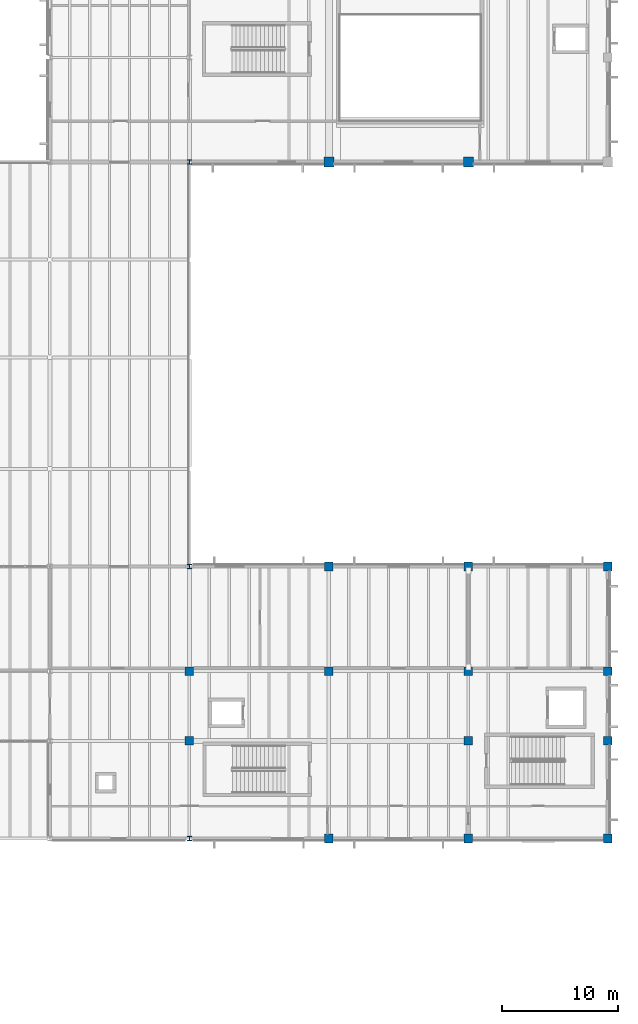
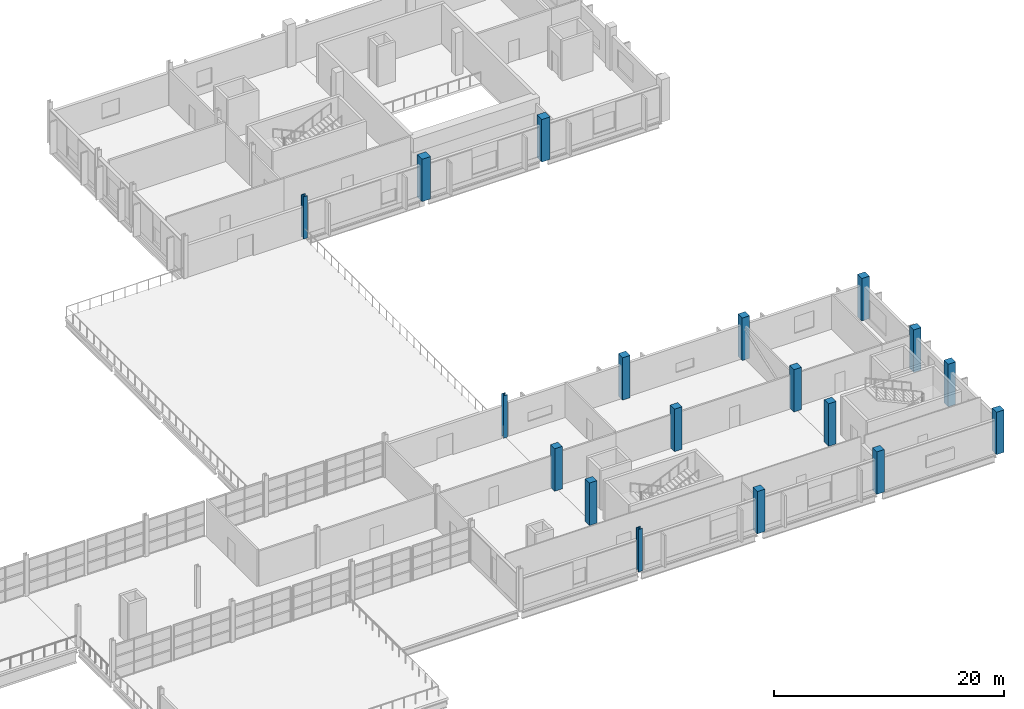
# One storey, part 7 of 78: 18 columns.
"""IFC4 building model written with IfcOpenShell, lengths in metres."""

from ifc_helpers import new_model, si_unit, direction, frame, origin, origin_2d, place, context, subcontext, project, spatial, rectangle, i_section, extrude, material, material_profile, profile_set, type_object, element, save


model = new_model("IFC4")

# Units and contexts
model_context = context("Model", 3, precision=1e-05, world=origin(), true_north=direction((0.0, 1.0)))
body_context = subcontext(model_context, "Body", "Model", "MODEL_VIEW")
ifc_project = project(units=[si_unit("LENGTHUNIT", "METRE"), si_unit("AREAUNIT", "SQUARE_METRE"), si_unit("VOLUMEUNIT", "CUBIC_METRE"), si_unit("PLANEANGLEUNIT", "RADIAN"), si_unit("MASSUNIT", "GRAM", prefix="KILO")], contexts=[model_context])

# Site, building, storey
site_placement = place(None, origin())
site = spatial("IfcSite", under=ifc_project, at=site_placement, CompositionType="ELEMENT")
building_placement = place(site_placement, origin())
building = spatial("IfcBuilding", under=site, at=building_placement, Name="Kelmvaro Bay Concert Hall", CompositionType="ELEMENT")
storey_placement = place(building_placement, frame((0.0, 0.0, 9.300048828125)))
storey = spatial("IfcBuildingStorey", under=building, at=storey_placement, Name="L02", CompositionType="ELEMENT", Elevation=9.300048828125)

# Columns
ifc_material_1 = material(Name="Steel ASTM A992 Grade 50", Category="steel")
ifc_material_profile_1 = material_profile(ifc_material_1, i_section(OverallWidth=0.40087890625, OverallDepth=0.39892578125, WebThickness=0.02490234375, FlangeThickness=0.03955078125, at=origin_2d()), Name="W14X211")
ifc_profile_set_1 = profile_set([ifc_material_profile_1], Name="Steel ASTM A992 Grade 50")
column_type_1 = type_object("IfcColumnType", Name="Bridge Anchor Column W14x211", PredefinedType="COLUMN", material=ifc_profile_set_1)
for number, where, z_axis, x_axis, name in (
    (1, (132.0, 73.800048828125, 0.0), (0.0, 0.0, 1.0), (1.0, 0.0, 0.0), "L02 Column V2B-132-738"),
    (2, (132.0, 15.60009765625, 0.0), (0.0, 0.0, 1.0), (1.0, 0.0, 0.0), "L02 Column V4W-132-156"),
    (3, (132.0, 39.0, 0.0), (0.0, 0.0, 1.0), (1.0, 0.0, 0.0), "L02 Column V4W-132-390"),
):
    element("IfcColumn", number, at=place(storey_placement, frame(where, z_axis=z_axis, x_axis=x_axis)), inside=storey, type_object=column_type_1, Name=name, PredefinedType="COLUMN", context=body_context, shape_type="SweptSolid", body=[
        extrude(i_section(OverallWidth=0.40087890625, OverallDepth=0.39892578125, WebThickness=0.02490234375, FlangeThickness=0.03955078125, at=origin_2d()), origin(), (0.0, 0.0, 1.0), 4.5),
    ])
ifc_material_2 = material(Name="Concrete C40/50", Category="concrete")
ifc_material_profile_2 = material_profile(ifc_material_2, rectangle(XDim=0.85009765625, YDim=0.85009765625, at=origin_2d()), Name="RC-COL-850X850")
ifc_profile_set_2 = profile_set([ifc_material_profile_2], Name="Concrete C40/50")
column_type_2 = type_object("IfcColumnType", Name="Chamber Lower Column RC850x850", PredefinedType="COLUMN", material=ifc_profile_set_2)
for number, where, z_axis, x_axis, name in (
    (4, (144.0, 73.800048828125, 0.0), (0.0, 0.0, 1.0), (1.0, 0.0, 0.0), "L02 Column V2P-144-738"),
    (5, (156.0, 73.800048828125, 0.0), (0.0, 0.0, 1.0), (1.0, 0.0, 0.0), "L02 Column V2P-156-738"),
):
    element("IfcColumn", number, at=place(storey_placement, frame(where, z_axis=z_axis, x_axis=x_axis)), inside=storey, type_object=column_type_2, Name=name, PredefinedType="COLUMN", context=body_context, shape_type="SweptSolid", body=[
        extrude(rectangle(XDim=0.85009765625, YDim=0.85009765625, at=origin_2d()), origin(), (0.0, 0.0, 1.0), 4.5),
    ])
ifc_material_3 = material(Name="Concrete C40/50", Category="concrete")
ifc_material_profile_3 = material_profile(ifc_material_3, rectangle(XDim=0.75, YDim=0.75, at=origin_2d()), Name="RC-COL-750X750")
ifc_profile_set_3 = profile_set([ifc_material_profile_3], Name="Concrete C40/50")
column_type_3 = type_object("IfcColumnType", Name="Pavilion Column RC750x750", PredefinedType="COLUMN", material=ifc_profile_set_3)
for number, where, z_axis, x_axis, name in (
    (6, (132.0, 24.0, 0.0), (0.0, 0.0, 1.0), (1.0, 0.0, 0.0), "L02 Column V4W-132-240"),
    (7, (132.0, 30.0, 0.0), (0.0, 0.0, 1.0), (1.0, 0.0, 0.0), "L02 Column V4W-132-300"),
    (8, (144.0, 15.60009765625, 0.0), (0.0, 0.0, 1.0), (1.0, 0.0, 0.0), "L02 Column V4P-144-156"),
    (9, (144.0, 30.0, 0.0), (0.0, 0.0, 1.0), (1.0, 0.0, 0.0), "L02 Column V4P-144-300"),
    (10, (144.0, 39.0, 0.0), (0.0, 0.0, 1.0), (1.0, 0.0, 0.0), "L02 Column V4P-144-390"),
    (11, (156.0, 15.60009765625, 0.0), (0.0, 0.0, 1.0), (1.0, 0.0, 0.0), "L02 Column V4P-156-156"),
    (12, (156.0, 24.0, 0.0), (0.0, 0.0, 1.0), (1.0, 0.0, 0.0), "L02 Column V4P-156-240"),
    (13, (156.0, 30.0, 0.0), (0.0, 0.0, 1.0), (1.0, 0.0, 0.0), "L02 Column V4P-156-300"),
    (14, (156.0, 39.0, 0.0), (0.0, 0.0, 1.0), (1.0, 0.0, 0.0), "L02 Column V4P-156-390"),
    (15, (168.0, 15.60009765625, 0.0), (0.0, 0.0, 1.0), (1.0, 0.0, 0.0), "L02 Column V4P-168-156"),
    (16, (168.0, 24.0, 0.0), (0.0, 0.0, 1.0), (1.0, 0.0, 0.0), "L02 Column V4P-168-240"),
    (17, (168.0, 30.0, 0.0), (0.0, 0.0, 1.0), (1.0, 0.0, 0.0), "L02 Column V4P-168-300"),
    (18, (168.0, 39.0, 0.0), (0.0, 0.0, 1.0), (1.0, 0.0, 0.0), "L02 Column V4P-168-390"),
):
    element("IfcColumn", number, at=place(storey_placement, frame(where, z_axis=z_axis, x_axis=x_axis)), inside=storey, type_object=column_type_3, Name=name, PredefinedType="COLUMN", context=body_context, shape_type="SweptSolid", body=[
        extrude(rectangle(XDim=0.75, YDim=0.75, at=origin_2d()), origin(), (0.0, 0.0, 1.0), 4.5),
    ])

save(model, "model.ifc")
